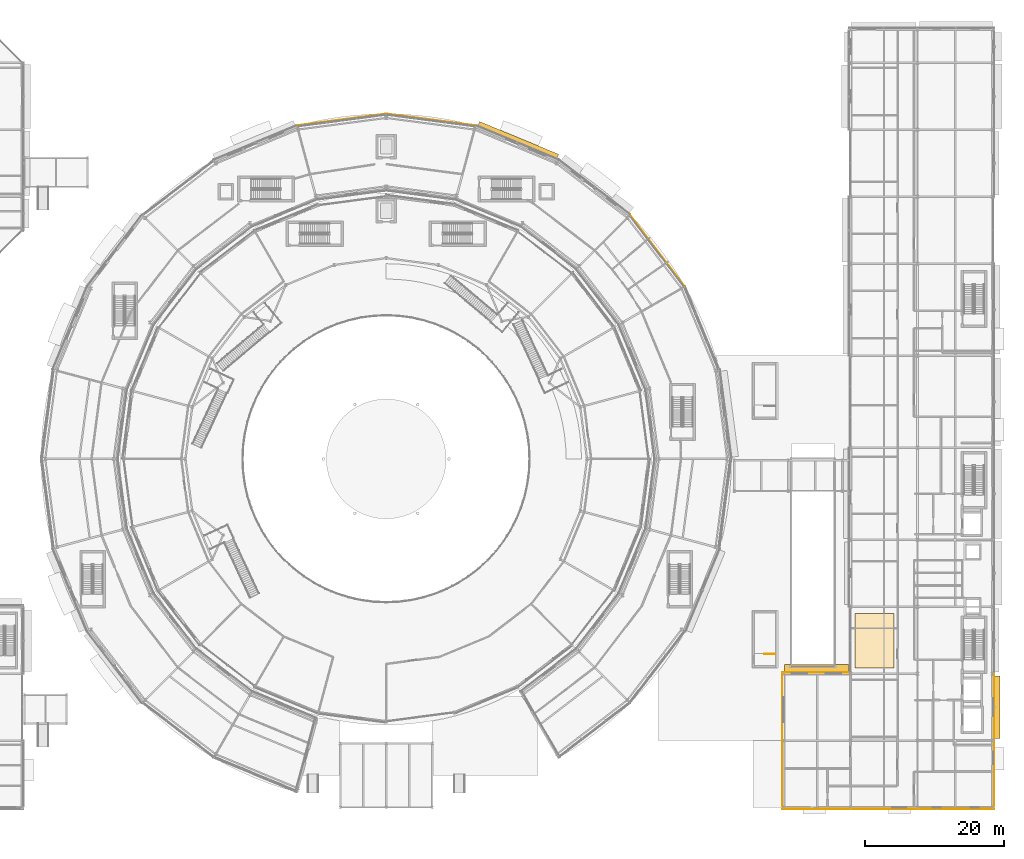
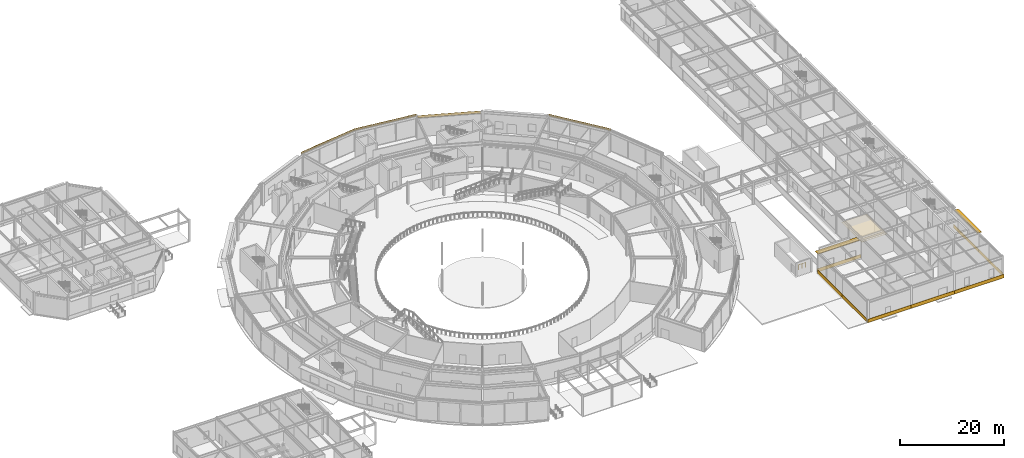
# One storey, part 162 of 168: 12 coverings, 3 shading devices, 1 railing.
"""IFC4 building model written with IfcOpenShell, lengths in metres."""

from ifc_helpers import new_model, si_unit, direction, frame, origin, origin_2d, place, context, subcontext, project, spatial, polyline, rectangle, circle, outline, extrude, material, layer, layer_set, type_object, element, save


model = new_model("IFC4")

# Units and contexts
model_context = context("Model", 3, precision=1e-05, world=origin(), true_north=direction((0.0, 1.0)))
body_context = subcontext(model_context, "Body", "Model", "MODEL_VIEW")
ifc_project = project(units=[si_unit("LENGTHUNIT", "METRE"), si_unit("AREAUNIT", "SQUARE_METRE"), si_unit("VOLUMEUNIT", "CUBIC_METRE"), si_unit("PLANEANGLEUNIT", "RADIAN"), si_unit("MASSUNIT", "GRAM", prefix="KILO")], contexts=[model_context])

# Site, building, storey
site_placement = place(None, origin())
site = spatial("IfcSite", under=ifc_project, at=site_placement, CompositionType="ELEMENT")
building_placement = place(site_placement, origin())
building = spatial("IfcBuilding", under=site, at=building_placement, Name="Almandine Court Research Institute", CompositionType="ELEMENT")
storey_placement = place(building_placement, origin())
storey = spatial("IfcBuildingStorey", under=building, at=storey_placement, Name="L00", CompositionType="ELEMENT", Elevation=0.0)

# Coverings
ifc_material_1 = material(Name="Mineral Fibre Acoustic Suspended Ceiling Tile")
ifc_layer_1 = layer(ifc_material_1, 0.02490234375)
ifc_layer_set_1 = layer_set([ifc_layer_1], Name="Mineral Fibre Acoustic Suspended Ceiling Tile")
covering_type_1 = type_object("IfcCoveringType", Name="Cov-CEIL-ACOU", PredefinedType="CEILING", material=ifc_layer_set_1)
covering_1_placement = place(storey_placement, frame((0.0, 0.0, 3.050048828125)))
element("IfcCovering", 1, at=covering_1_placement, inside=storey, type_object=covering_type_1, Name="L00 Write-Up Suite Acoustic Ceiling", PredefinedType="CEILING", context=body_context, shape_type="SweptSolid", body=[
    extrude(outline(polyline([(154.199951171875, 26.0), (159.800048828125, 26.0), (159.800048828125, 33.800048828125), (154.199951171875, 33.800048828125), (154.199951171875, 26.0)])), origin(), (0.0, 0.0, 1.0), 0.02490234375),
])
ifc_material_2 = material(Name="Honed Andean Red-Buff Sandstone Cladding", Category="masonry")
ifc_layer_2 = layer(ifc_material_2, 0.06494140625)
ifc_layer_set_2 = layer_set([ifc_layer_2], Name="Honed Andean Red-Buff Sandstone Cladding")
covering_type_2 = type_object("IfcCoveringType", Name="Cov-CLAD-SAND", PredefinedType="CLADDING", material=ifc_layer_set_2)
for number, where, z_axis, x_axis, name in (
    (2, (143.799072265625, 10.885009765625, 0.02001953125), (0.0, 0.0, 1.0), (0.0, 1.0, 0.0), "L00 Facade Spandrel Cladding Band 95"),
    (3, (143.799072265625, 20.31494140625, 0.02001953125), (0.0, 0.0, 1.0), (0.0, 1.0, 0.0), "L00 Facade Spandrel Cladding Band 96"),
):
    element("IfcCovering", number, at=place(storey_placement, frame(where, z_axis=z_axis, x_axis=x_axis)), inside=storey, type_object=covering_type_2, Name=name, PredefinedType="CLADDING", context=body_context, shape_type="SweptSolid", body=[
        extrude(rectangle(XDim=9.422119140625, YDim=0.06494140625, at=origin_2d()), origin(), (0.0, 0.0, 1.0), 0.800048828125),
    ])
covering_2_placement = place(storey_placement, frame((148.712890625, 25.40087890625, 0.02001953125), z_axis=(0.0, 0.0, 1.0), x_axis=(1.0, 0.0, 0.0)))
element("IfcCovering", 4, at=covering_2_placement, inside=storey, type_object=covering_type_2, Name="L00 Facade Spandrel Cladding Band 97", PredefinedType="CLADDING", context=body_context, shape_type="SweptSolid", body=[
    extrude(rectangle(XDim=9.76611328125, YDim=0.06494140625, at=origin_2d()), origin(), (0.0, 0.0, 1.0), 0.800048828125),
])
covering_3_placement = place(storey_placement, frame((148.800048828125, 5.800048828125, 0.02001953125), z_axis=(0.0, 0.0, 1.0), x_axis=(-1.0, 0.0, 0.0)))
element("IfcCovering", 5, at=covering_3_placement, inside=storey, type_object=covering_type_2, Name="L00 Facade Spandrel Cladding Band 98", PredefinedType="CLADDING", context=body_context, shape_type="SweptSolid", body=[
    extrude(rectangle(XDim=9.93994140625, YDim=0.06494140625, at=origin_2d()), origin(), (0.0, 0.0, 1.0), 0.800048828125),
])
covering_4_placement = place(storey_placement, frame((174.200927734375, 20.39990234375, 0.02001953125), z_axis=(0.0, 0.0, 1.0), x_axis=(0.0, -1.0, 0.0)))
element("IfcCovering", 6, at=covering_4_placement, inside=storey, type_object=covering_type_2, Name="L00 Facade Spandrel Cladding Band 115", PredefinedType="CLADDING", context=body_context, shape_type="SweptSolid", body=[
    extrude(rectangle(XDim=9.592041015625, YDim=0.06494140625, at=origin_2d()), origin(), (0.0, 0.0, 1.0), 0.800048828125),
])
covering_5_placement = place(storey_placement, frame((174.200927734375, 10.885009765625, 0.02001953125), z_axis=(0.0, 0.0, 1.0), x_axis=(0.0, -1.0, 0.0)))
element("IfcCovering", 7, at=covering_5_placement, inside=storey, type_object=covering_type_2, Name="L00 Facade Spandrel Cladding Band 116", PredefinedType="CLADDING", context=body_context, shape_type="SweptSolid", body=[
    extrude(rectangle(XDim=9.422119140625, YDim=0.06494140625, at=origin_2d()), origin(), (0.0, 0.0, 1.0), 0.800048828125),
])
covering_6_placement = place(storey_placement, frame((168.68701171875, 5.800048828125, 0.02001953125), z_axis=(0.0, 0.0, 1.0), x_axis=(-1.0, 0.0, 0.0)))
element("IfcCovering", 8, at=covering_6_placement, inside=storey, type_object=covering_type_2, Name="L00 Facade Spandrel Cladding Band 117", PredefinedType="CLADDING", context=body_context, shape_type="SweptSolid", body=[
    extrude(rectangle(XDim=10.966064453125, YDim=0.06494140625, at=origin_2d()), origin(), (0.0, 0.0, 1.0), 0.800048828125),
])
covering_7_placement = place(storey_placement, frame((158.31298828125, 5.800048828125, 0.02001953125), z_axis=(0.0, 0.0, 1.0), x_axis=(-1.0, 0.0, 0.0)))
element("IfcCovering", 9, at=covering_7_placement, inside=storey, type_object=covering_type_2, Name="L00 Facade Spandrel Cladding Band 118", PredefinedType="CLADDING", context=body_context, shape_type="SweptSolid", body=[
    extrude(rectangle(XDim=9.76611328125, YDim=0.06494140625, at=origin_2d()), origin(), (0.0, 0.0, 1.0), 0.800048828125),
])
ifc_material_3 = material(Name="Extruded Cream-Ochre Seismic Terracotta Spandrel", Category="masonry")
ifc_layer_3 = layer(ifc_material_3, 0.054931640625)
ifc_layer_set_3 = layer_set([ifc_layer_3], Name="Extruded Cream-Ochre Seismic Terracotta Spandrel")
covering_type_3 = type_object("IfcCoveringType", Name="Cov-CLAD-TERR", PredefinedType="CLADDING", material=ifc_layer_set_3)
for number, where, z_axis, x_axis, name in (
    (10, (125.919921875, 85.864990234375, 4.679931640625), (0.0, 0.0, 1.0), (0.608761429009, -0.793353340291, 0.0), "L00 Drum Stacked Terracotta Ring Band 02"),
    (11, (93.404052734375, 104.638916015625, 4.679931640625), (0.0, 0.0, 1.0), (0.991444861374, -0.13052619222, 0.0), "L00 Drum Stacked Terracotta Ring Band 05"),
    (12, (80.595947265625, 104.638916015625, 4.679931640625), (0.0, 0.0, 1.0), (0.991444861374, 0.13052619222, 0.0), "L00 Drum Stacked Terracotta Ring Band 06"),
):
    element("IfcCovering", number, at=place(storey_placement, frame(where, z_axis=z_axis, x_axis=x_axis)), inside=storey, type_object=covering_type_3, Name=name, PredefinedType="CLADDING", context=body_context, shape_type="SweptSolid", body=[
        extrude(rectangle(XDim=12.8779296875, YDim=0.054931640625, at=origin_2d()), origin(), (0.0, 0.0, 1.0), 0.419921875),
    ])

# Railing
ifc_material_4 = material(Name="Powder-Coated Steel Stair and Atrium Balustrade", Category="steel")
railing_type = type_object("IfcRailingType", Name="Rail-GUARD-INT", PredefinedType="BALUSTRADE", material=ifc_material_4)
railing_placement = place(storey_placement, frame((142.800048828125, 28.0, 0.0)))
element("IfcRailing", 13, at=railing_placement, inside=storey, type_object=railing_type, Name="L00 ST-11 top well guard 1", PredefinedType="BALUSTRADE", context=body_context, shape_type="SweptSolid", body=[
    extrude(circle(Radius=0.02392578125, at=origin_2d()), frame((0.0, 0.0, 1.09619140625), z_axis=(-1.0, 0.0, 0.0), x_axis=(0.0, -1.0, 0.0)), (0.0, 0.0, 1.0), 1.580078125),
    extrude(circle(Radius=0.02099609375, at=origin_2d()), origin(), (0.0, 0.0, 1.0), 1.072021484375),
    extrude(circle(Radius=0.02099609375, at=origin_2d()), frame((-0.7900390625, 0.0, 0.0)), (0.0, 0.0, 1.0), 1.072021484375),
    extrude(circle(Radius=0.02099609375, at=origin_2d()), frame((-1.580078125, 0.0, 0.0)), (0.0, 0.0, 1.0), 1.072021484375),
])

# Shading devices
ifc_material_5 = material(Name="Precast GFRC Chhajja Sunshade and Acoustic Louvre", Category="concrete")
ifc_layer_4 = layer(ifc_material_5, 0.080078125)
ifc_layer_set_4 = layer_set([ifc_layer_4], Name="Precast GFRC Chhajja Sunshade and Acoustic Louvre")
shading_device_type_1 = type_object("IfcShadingDeviceType", Name="Shd-SD-36", PredefinedType="AWNING", material=ifc_layer_set_4)
shading_device_1_placement = place(storey_placement, frame((148.712890625, 25.93505859375, 4.18505859375), z_axis=(0.0, 0.0, 1.0), x_axis=(1.0, 0.0, 0.0)))
element("IfcShadingDevice", 14, at=shading_device_1_placement, inside=storey, type_object=shading_device_type_1, Name="L00 Projecting Chhajja Sunshade 58", PredefinedType="AWNING", context=body_context, shape_type="SweptSolid", body=[
    extrude(rectangle(XDim=9.256103515625, YDim=1.14990234375, at=origin_2d()), origin(), (0.0, 0.0, 1.0), 0.080078125),
])
ifc_layer_5 = layer(ifc_material_5, 0.080078125)
ifc_layer_set_5 = layer_set([ifc_layer_5], Name="Precast GFRC Chhajja Sunshade and Acoustic Louvre")
shading_device_type_2 = type_object("IfcShadingDeviceType", Name="Shd-SD-46", PredefinedType="AWNING", material=ifc_layer_set_5)
shading_device_2_placement = place(storey_placement, frame((174.5849609375, 20.39990234375, 4.303955078125), z_axis=(0.0, 0.0, 1.0), x_axis=(0.0, -1.0, 0.0)))
element("IfcShadingDevice", 15, at=shading_device_2_placement, inside=storey, type_object=shading_device_type_2, Name="L00 Projecting Chhajja Sunshade 75", PredefinedType="AWNING", context=body_context, shape_type="SweptSolid", body=[
    extrude(rectangle(XDim=9.001953125, YDim=0.85009765625, at=origin_2d()), origin(), (0.0, 0.0, 1.0), 0.080078125),
])
ifc_layer_6 = layer(ifc_material_5, 0.080078125)
ifc_layer_set_6 = layer_set([ifc_layer_6], Name="Precast GFRC Chhajja Sunshade and Acoustic Louvre")
shading_device_type_3 = type_object("IfcShadingDeviceType", Name="Shd-SD-83", PredefinedType="AWNING", material=ifc_layer_set_6)
shading_device_3_placement = place(storey_placement, frame((105.925048828125, 101.68896484375, 4.153076171875), z_axis=(0.0, 0.0, 1.0), x_axis=(0.923879532511, -0.382683432365, 0.0)))
element("IfcShadingDevice", 16, at=shading_device_3_placement, inside=storey, type_object=shading_device_type_3, Name="L00 Projecting Chhajja Sunshade 179", PredefinedType="AWNING", context=body_context, shape_type="SweptSolid", body=[
    extrude(rectangle(XDim=12.279052734375, YDim=0.75, at=origin_2d()), origin(), (0.0, 0.0, 1.0), 0.080078125),
])

save(model, "model.ifc")
